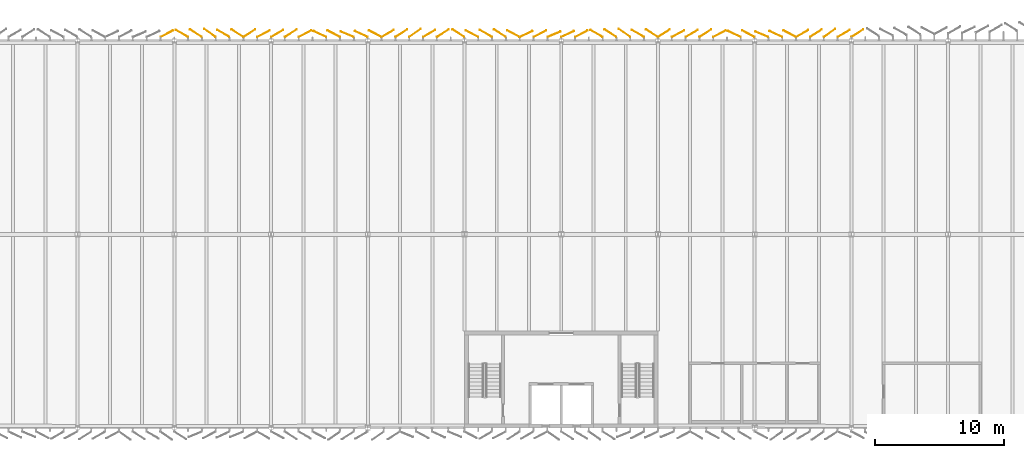
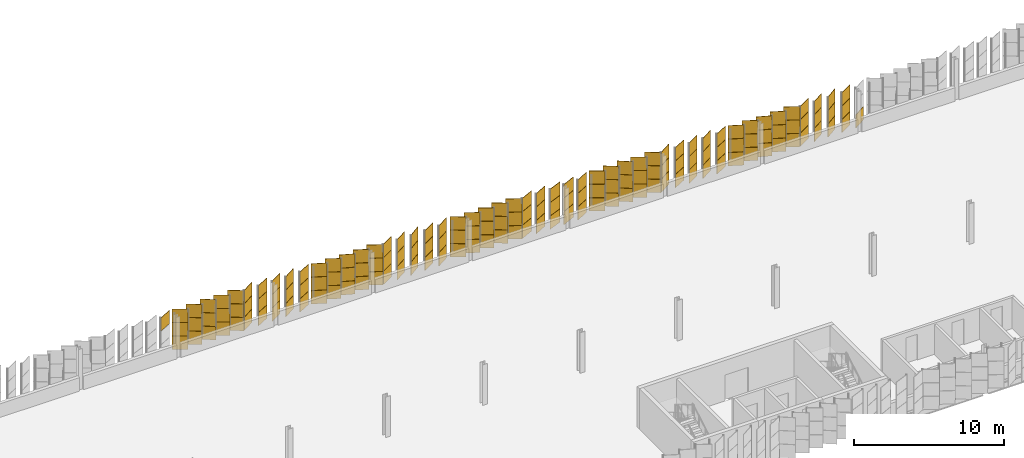
# One storey, part 198 of 199: 149 coverings.
"""IFC4 building model written with IfcOpenShell, lengths in metres."""

from ifc_helpers import new_model, si_unit, direction, frame, origin, origin_2d, place, context, subcontext, project, spatial, rectangle, extrude, material, layer, layer_set, type_object, element, save


model = new_model("IFC4")

# Units and contexts
model_context = context("Model", 3, precision=1e-05, world=origin(), true_north=direction((0.0, 1.0)))
body_context = subcontext(model_context, "Body", "Model", "MODEL_VIEW")
ifc_project = project(units=[si_unit("LENGTHUNIT", "METRE"), si_unit("AREAUNIT", "SQUARE_METRE"), si_unit("VOLUMEUNIT", "CUBIC_METRE"), si_unit("PLANEANGLEUNIT", "RADIAN"), si_unit("MASSUNIT", "GRAM", prefix="KILO")], contexts=[model_context])

# Site, building, storey
site_placement = place(None, origin())
site = spatial("IfcSite", under=ifc_project, at=site_placement, CompositionType="ELEMENT")
building_placement = place(site_placement, origin())
building = spatial("IfcBuilding", under=site, at=building_placement, Name="Parallax Yard Mobility Hub", CompositionType="ELEMENT")
storey_placement = place(building_placement, frame((0.0, 0.0, 9.89990234375)))
storey = spatial("IfcBuildingStorey", under=building, at=storey_placement, Name="L03", CompositionType="ELEMENT", Elevation=9.89990234375)

# Coverings
ifc_material_1 = material(Name="Aluminium panel, champagne finish", Category="aluminium")
ifc_layer_1 = layer(ifc_material_1, 0.030029296875)
ifc_layer_set_1 = layer_set([ifc_layer_1], Name="Skin panel 22.5 degree turn, champagne finish")
covering_type_1 = type_object("IfcCoveringType", Name="Skin panel 22.5 degree turn, champagne finish", PredefinedType="CLADDING", material=ifc_layer_set_1)
for number, where, z_axis, x_axis, name in (
    (1, (150.556884765625, 143.012939453125, 0.02001953125), (0.0, 0.0, 1.0), (-0.923879532511, 0.382683432365, 0.0), "Skin panel 22.5 bay 53.7 row 1 level L03"),
    (2, (134.43994140625, 143.012939453125, 0.02001953125), (0.0, 0.0, 1.0), (0.923879532511, 0.382683432365, 0.0), "Skin panel 22.5 bay 56.1 row 1 level L03"),
    (3, (118.41015625, 143.012939453125, 0.02001953125), (0.0, 0.0, 1.0), (-0.923879532511, 0.382683432365, 0.0), "Skin panel 22.5 bay 58.2 row 1 level L03"),
):
    element("IfcCovering", number, at=place(storey_placement, frame(where, z_axis=z_axis, x_axis=x_axis)), inside=storey, type_object=covering_type_1, Name=name, ObjectType="SCREEN", PredefinedType="CLADDING", context=body_context, shape_type="SweptSolid", body=[
        extrude(rectangle(XDim=1.080078125, YDim=0.030029296875, at=origin_2d()), origin(), (0.0, 0.0, 1.0), 1.080078125),
    ])
ifc_material_2 = material(Name="Aluminium panel, silver anodised", Category="aluminium")
ifc_layer_2 = layer(ifc_material_2, 0.030029296875)
ifc_layer_set_2 = layer_set([ifc_layer_2], Name="Skin panel 22.5 degree turn, silver anodised")
covering_type_2 = type_object("IfcCoveringType", Name="Skin panel 22.5 degree turn, silver anodised", PredefinedType="CLADDING", material=ifc_layer_set_2)
for number, where, z_axis, x_axis, name in (
    (4, (150.556884765625, 143.012939453125, 1.1201171875), (0.0, 0.0, 1.0), (-0.923879532511, 0.382683432365, 0.0), "Skin panel 22.5 bay 53.7 row 2 level L03"),
    (5, (150.556884765625, 143.012939453125, 2.219970703125), (0.0, 0.0, 1.0), (-0.923879532511, 0.382683432365, 0.0), "Skin panel 22.5 bay 53.7 row 3 level L03"),
    (6, (134.43994140625, 143.012939453125, 1.1201171875), (0.0, 0.0, 1.0), (0.923879532511, 0.382683432365, 0.0), "Skin panel 22.5 bay 56.1 row 2 level L03"),
    (7, (134.43994140625, 143.012939453125, 2.219970703125), (0.0, 0.0, 1.0), (0.923879532511, 0.382683432365, 0.0), "Skin panel 22.5 bay 56.1 row 3 level L03"),
    (8, (118.41015625, 143.012939453125, 1.1201171875), (0.0, 0.0, 1.0), (-0.923879532511, 0.382683432365, 0.0), "Skin panel 22.5 bay 58.2 row 2 level L03"),
    (9, (118.41015625, 143.012939453125, 2.219970703125), (0.0, 0.0, 1.0), (-0.923879532511, 0.382683432365, 0.0), "Skin panel 22.5 bay 58.2 row 3 level L03"),
):
    element("IfcCovering", number, at=place(storey_placement, frame(where, z_axis=z_axis, x_axis=x_axis)), inside=storey, type_object=covering_type_2, Name=name, ObjectType="SCREEN", PredefinedType="CLADDING", context=body_context, shape_type="SweptSolid", body=[
        extrude(rectangle(XDim=1.080078125, YDim=0.030029296875, at=origin_2d()), origin(), (0.0, 0.0, 1.0), 1.080078125),
    ])
ifc_layer_3 = layer(ifc_material_1, 0.030029296875)
ifc_layer_set_3 = layer_set([ifc_layer_3], Name="Skin panel 25 degree turn, champagne finish")
covering_type_3 = type_object("IfcCoveringType", Name="Skin panel 25 degree turn, champagne finish", PredefinedType="CLADDING", material=ifc_layer_set_3)
for number, where, z_axis, x_axis, name in (
    (10, (151.63818359375, 143.03515625, 0.02001953125), (0.0, 0.0, 1.0), (-0.906307787037, 0.422618261741, 0.0), "Skin panel 25 bay 53.6 row 1 level L03"),
    (11, (148.42333984375, 143.03515625, 0.02001953125), (0.0, 0.0, 1.0), (-0.906307787037, 0.422618261741, 0.0), "Skin panel 25 bay 54.2 row 1 level L03"),
    (12, (135.501708984375, 143.03515625, 0.02001953125), (0.0, 0.0, 1.0), (0.906307787037, 0.422618261741, 0.0), "Skin panel 25 bay 55.7 row 1 level L03"),
    (13, (132.287109375, 143.03515625, 0.02001953125), (0.0, 0.0, 1.0), (0.906307787037, 0.422618261741, 0.0), "Skin panel 25 bay 56.3 row 1 level L03"),
    (14, (119.491455078125, 143.03515625, 0.02001953125), (0.0, 0.0, 1.0), (-0.906307787037, 0.422618261741, 0.0), "Skin panel 25 bay 58.1 row 1 level L03"),
    (15, (116.27685546875, 143.03515625, 0.02001953125), (0.0, 0.0, 1.0), (-0.906307787037, 0.422618261741, 0.0), "Skin panel 25 bay 58.4 row 1 level L03"),
):
    element("IfcCovering", number, at=place(storey_placement, frame(where, z_axis=z_axis, x_axis=x_axis)), inside=storey, type_object=covering_type_3, Name=name, ObjectType="SCREEN", PredefinedType="CLADDING", context=body_context, shape_type="SweptSolid", body=[
        extrude(rectangle(XDim=1.080078125, YDim=0.030029296875, at=origin_2d()), origin(), (0.0, 0.0, 1.0), 1.080078125),
    ])
ifc_layer_4 = layer(ifc_material_2, 0.030029296875)
ifc_layer_set_4 = layer_set([ifc_layer_4], Name="Skin panel 25 degree turn, silver anodised")
covering_type_4 = type_object("IfcCoveringType", Name="Skin panel 25 degree turn, silver anodised", PredefinedType="CLADDING", material=ifc_layer_set_4)
for number, where, z_axis, x_axis, name in (
    (16, (151.63818359375, 143.03515625, 1.1201171875), (0.0, 0.0, 1.0), (-0.906307787037, 0.422618261741, 0.0), "Skin panel 25 bay 53.6 row 2 level L03"),
    (17, (151.63818359375, 143.03515625, 2.219970703125), (0.0, 0.0, 1.0), (-0.906307787037, 0.422618261741, 0.0), "Skin panel 25 bay 53.6 row 3 level L03"),
    (18, (148.42333984375, 143.03515625, 1.1201171875), (0.0, 0.0, 1.0), (-0.906307787037, 0.422618261741, 0.0), "Skin panel 25 bay 54.2 row 2 level L03"),
    (19, (148.42333984375, 143.03515625, 2.219970703125), (0.0, 0.0, 1.0), (-0.906307787037, 0.422618261741, 0.0), "Skin panel 25 bay 54.2 row 3 level L03"),
    (20, (135.501708984375, 143.03515625, 1.1201171875), (0.0, 0.0, 1.0), (0.906307787037, 0.422618261741, 0.0), "Skin panel 25 bay 55.7 row 2 level L03"),
    (21, (135.501708984375, 143.03515625, 2.219970703125), (0.0, 0.0, 1.0), (0.906307787037, 0.422618261741, 0.0), "Skin panel 25 bay 55.7 row 3 level L03"),
    (22, (132.287109375, 143.03515625, 1.1201171875), (0.0, 0.0, 1.0), (0.906307787037, 0.422618261741, 0.0), "Skin panel 25 bay 56.3 row 2 level L03"),
    (23, (132.287109375, 143.03515625, 2.219970703125), (0.0, 0.0, 1.0), (0.906307787037, 0.422618261741, 0.0), "Skin panel 25 bay 56.3 row 3 level L03"),
    (24, (119.491455078125, 143.03515625, 1.1201171875), (0.0, 0.0, 1.0), (-0.906307787037, 0.422618261741, 0.0), "Skin panel 25 bay 58.1 row 2 level L03"),
    (25, (119.491455078125, 143.03515625, 2.219970703125), (0.0, 0.0, 1.0), (-0.906307787037, 0.422618261741, 0.0), "Skin panel 25 bay 58.1 row 3 level L03"),
    (26, (116.27685546875, 143.03515625, 1.1201171875), (0.0, 0.0, 1.0), (-0.906307787037, 0.422618261741, 0.0), "Skin panel 25 bay 58.4 row 2 level L03"),
    (27, (116.27685546875, 143.03515625, 2.219970703125), (0.0, 0.0, 1.0), (-0.906307787037, 0.422618261741, 0.0), "Skin panel 25 bay 58.4 row 3 level L03"),
):
    element("IfcCovering", number, at=place(storey_placement, frame(where, z_axis=z_axis, x_axis=x_axis)), inside=storey, type_object=covering_type_4, Name=name, ObjectType="SCREEN", PredefinedType="CLADDING", context=body_context, shape_type="SweptSolid", body=[
        extrude(rectangle(XDim=1.080078125, YDim=0.030029296875, at=origin_2d()), origin(), (0.0, 0.0, 1.0), 1.080078125),
    ])
ifc_layer_5 = layer(ifc_material_1, 0.030029296875)
ifc_layer_set_5 = layer_set([ifc_layer_5], Name="Skin panel 27.5 degree turn, champagne finish")
covering_type_5 = type_object("IfcCoveringType", Name="Skin panel 27.5 degree turn, champagne finish", PredefinedType="CLADDING", material=ifc_layer_set_5)
for number, where, z_axis, x_axis, name in (
    (28, (152.720458984375, 143.056884765625, 0.02001953125), (0.0, 0.0, 1.0), (-0.887010833178, 0.461748613235, 0.0), "Skin panel 27.5 bay 53.5 row 1 level L03"),
    (29, (149.505615234375, 143.056884765625, 0.02001953125), (0.0, 0.0, 1.0), (-0.887010833178, 0.461748613235, 0.0), "Skin panel 27.5 bay 54.1 row 1 level L03"),
    (30, (147.278076171875, 143.056884765625, 0.02001953125), (0.0, 0.0, 1.0), (0.887010833178, 0.461748613235, 0.0), "Skin panel 27.5 bay 54.3 row 1 level L03"),
    (31, (144.0634765625, 143.056884765625, 0.02001953125), (0.0, 0.0, 1.0), (0.887010833178, 0.461748613235, 0.0), "Skin panel 27.5 bay 54.6 row 1 level L03"),
    (32, (136.5625, 143.056884765625, 0.02001953125), (0.0, 0.0, 1.0), (0.887010833178, 0.461748613235, 0.0), "Skin panel 27.5 bay 55.6 row 1 level L03"),
    (33, (133.347900390625, 143.056884765625, 0.02001953125), (0.0, 0.0, 1.0), (0.887010833178, 0.461748613235, 0.0), "Skin panel 27.5 bay 56.2 row 1 level L03"),
    (34, (131.289306640625, 143.056884765625, 0.02001953125), (0.0, 0.0, 1.0), (-0.887010833178, 0.461748613235, 0.0), "Skin panel 27.5 bay 56.4 row 1 level L03"),
    (35, (128.07470703125, 143.056884765625, 0.02001953125), (0.0, 0.0, 1.0), (-0.887010833178, 0.461748613235, 0.0), "Skin panel 27.5 bay 56.7 row 1 level L03"),
    (36, (120.57373046875, 143.056884765625, 0.02001953125), (0.0, 0.0, 1.0), (-0.887010833178, 0.461748613235, 0.0), "Skin panel 27.5 bay 57.7 row 1 level L03"),
    (37, (117.359130859375, 143.056884765625, 0.02001953125), (0.0, 0.0, 1.0), (-0.887010833178, 0.461748613235, 0.0), "Skin panel 27.5 bay 58.3 row 1 level L03"),
    (38, (115.13134765625, 143.056884765625, 0.02001953125), (0.0, 0.0, 1.0), (0.887010833178, 0.461748613235, 0.0), "Skin panel 27.5 bay 58.5 row 1 level L03"),
    (39, (111.916748046875, 143.056884765625, 0.02001953125), (0.0, 0.0, 1.0), (0.887010833178, 0.461748613235, 0.0), "Skin panel 27.5 bay 59.1 row 1 level L03"),
):
    element("IfcCovering", number, at=place(storey_placement, frame(where, z_axis=z_axis, x_axis=x_axis)), inside=storey, type_object=covering_type_5, Name=name, ObjectType="SCREEN", PredefinedType="CLADDING", context=body_context, shape_type="SweptSolid", body=[
        extrude(rectangle(XDim=1.080078125, YDim=0.030029296875, at=origin_2d()), origin(), (0.0, 0.0, 1.0), 1.080078125),
    ])
ifc_layer_6 = layer(ifc_material_2, 0.030029296875)
ifc_layer_set_6 = layer_set([ifc_layer_6], Name="Skin panel 27.5 degree turn, silver anodised")
covering_type_6 = type_object("IfcCoveringType", Name="Skin panel 27.5 degree turn, silver anodised", PredefinedType="CLADDING", material=ifc_layer_set_6)
for number, where, z_axis, x_axis, name in (
    (40, (152.720458984375, 143.056884765625, 1.1201171875), (0.0, 0.0, 1.0), (-0.887010833178, 0.461748613235, 0.0), "Skin panel 27.5 bay 53.5 row 2 level L03"),
    (41, (152.720458984375, 143.056884765625, 2.219970703125), (0.0, 0.0, 1.0), (-0.887010833178, 0.461748613235, 0.0), "Skin panel 27.5 bay 53.5 row 3 level L03"),
    (42, (149.505615234375, 143.056884765625, 1.1201171875), (0.0, 0.0, 1.0), (-0.887010833178, 0.461748613235, 0.0), "Skin panel 27.5 bay 54.1 row 2 level L03"),
    (43, (149.505615234375, 143.056884765625, 2.219970703125), (0.0, 0.0, 1.0), (-0.887010833178, 0.461748613235, 0.0), "Skin panel 27.5 bay 54.1 row 3 level L03"),
    (44, (147.278076171875, 143.056884765625, 1.1201171875), (0.0, 0.0, 1.0), (0.887010833178, 0.461748613235, 0.0), "Skin panel 27.5 bay 54.3 row 2 level L03"),
    (45, (147.278076171875, 143.056884765625, 2.219970703125), (0.0, 0.0, 1.0), (0.887010833178, 0.461748613235, 0.0), "Skin panel 27.5 bay 54.3 row 3 level L03"),
    (46, (144.0634765625, 143.056884765625, 1.1201171875), (0.0, 0.0, 1.0), (0.887010833178, 0.461748613235, 0.0), "Skin panel 27.5 bay 54.6 row 2 level L03"),
    (47, (144.0634765625, 143.056884765625, 2.219970703125), (0.0, 0.0, 1.0), (0.887010833178, 0.461748613235, 0.0), "Skin panel 27.5 bay 54.6 row 3 level L03"),
    (48, (136.5625, 143.056884765625, 1.1201171875), (0.0, 0.0, 1.0), (0.887010833178, 0.461748613235, 0.0), "Skin panel 27.5 bay 55.6 row 2 level L03"),
    (49, (136.5625, 143.056884765625, 2.219970703125), (0.0, 0.0, 1.0), (0.887010833178, 0.461748613235, 0.0), "Skin panel 27.5 bay 55.6 row 3 level L03"),
    (50, (133.347900390625, 143.056884765625, 1.1201171875), (0.0, 0.0, 1.0), (0.887010833178, 0.461748613235, 0.0), "Skin panel 27.5 bay 56.2 row 2 level L03"),
    (51, (133.347900390625, 143.056884765625, 2.219970703125), (0.0, 0.0, 1.0), (0.887010833178, 0.461748613235, 0.0), "Skin panel 27.5 bay 56.2 row 3 level L03"),
    (52, (131.289306640625, 143.056884765625, 1.1201171875), (0.0, 0.0, 1.0), (-0.887010833178, 0.461748613235, 0.0), "Skin panel 27.5 bay 56.4 row 2 level L03"),
    (53, (131.289306640625, 143.056884765625, 2.219970703125), (0.0, 0.0, 1.0), (-0.887010833178, 0.461748613235, 0.0), "Skin panel 27.5 bay 56.4 row 3 level L03"),
    (54, (128.07470703125, 143.056884765625, 1.1201171875), (0.0, 0.0, 1.0), (-0.887010833178, 0.461748613235, 0.0), "Skin panel 27.5 bay 56.7 row 2 level L03"),
    (55, (128.07470703125, 143.056884765625, 2.219970703125), (0.0, 0.0, 1.0), (-0.887010833178, 0.461748613235, 0.0), "Skin panel 27.5 bay 56.7 row 3 level L03"),
    (56, (120.57373046875, 143.056884765625, 1.1201171875), (0.0, 0.0, 1.0), (-0.887010833178, 0.461748613235, 0.0), "Skin panel 27.5 bay 57.7 row 2 level L03"),
    (57, (120.57373046875, 143.056884765625, 2.219970703125), (0.0, 0.0, 1.0), (-0.887010833178, 0.461748613235, 0.0), "Skin panel 27.5 bay 57.7 row 3 level L03"),
    (58, (117.359130859375, 143.056884765625, 1.1201171875), (0.0, 0.0, 1.0), (-0.887010833178, 0.461748613235, 0.0), "Skin panel 27.5 bay 58.3 row 2 level L03"),
    (59, (117.359130859375, 143.056884765625, 2.219970703125), (0.0, 0.0, 1.0), (-0.887010833178, 0.461748613235, 0.0), "Skin panel 27.5 bay 58.3 row 3 level L03"),
    (60, (115.13134765625, 143.056884765625, 1.1201171875), (0.0, 0.0, 1.0), (0.887010833178, 0.461748613235, 0.0), "Skin panel 27.5 bay 58.5 row 2 level L03"),
    (61, (115.13134765625, 143.056884765625, 2.219970703125), (0.0, 0.0, 1.0), (0.887010833178, 0.461748613235, 0.0), "Skin panel 27.5 bay 58.5 row 3 level L03"),
    (62, (111.916748046875, 143.056884765625, 1.1201171875), (0.0, 0.0, 1.0), (0.887010833178, 0.461748613235, 0.0), "Skin panel 27.5 bay 59.1 row 2 level L03"),
    (63, (111.916748046875, 143.056884765625, 2.219970703125), (0.0, 0.0, 1.0), (0.887010833178, 0.461748613235, 0.0), "Skin panel 27.5 bay 59.1 row 3 level L03"),
    (64, (104.415771484375, 143.056884765625, 2.219970703125), (0.0, 0.0, 1.0), (0.887010833178, 0.461748613235, 0.0), "Skin panel 27.5 bay 60.1 row 3 level L03"),
):
    element("IfcCovering", number, at=place(storey_placement, frame(where, z_axis=z_axis, x_axis=x_axis)), inside=storey, type_object=covering_type_6, Name=name, ObjectType="SCREEN", PredefinedType="CLADDING", context=body_context, shape_type="SweptSolid", body=[
        extrude(rectangle(XDim=1.080078125, YDim=0.030029296875, at=origin_2d()), origin(), (0.0, 0.0, 1.0), 1.080078125),
    ])
ifc_layer_7 = layer(ifc_material_1, 0.030029296875)
ifc_layer_set_7 = layer_set([ifc_layer_7], Name="Skin panel 30 degree turn, champagne finish")
covering_type_7 = type_object("IfcCoveringType", Name="Skin panel 30 degree turn, champagne finish", PredefinedType="CLADDING", material=ifc_layer_set_7)
for number, where, z_axis, x_axis, name in (
    (65, (156.910400390625, 143.078125, 0.02001953125), (0.0, 0.0, 1.0), (0.866025403784, 0.5, 0.0), "Skin panel 30 bay 53.1 row 1 level L03"),
    (66, (153.69580078125, 143.078125, 0.02001953125), (0.0, 0.0, 1.0), (0.866025403784, 0.5, 0.0), "Skin panel 30 bay 53.4 row 1 level L03"),
    (67, (145.123291015625, 143.078125, 0.02001953125), (0.0, 0.0, 1.0), (0.866025403784, 0.5, 0.0), "Skin panel 30 bay 54.5 row 1 level L03"),
    (68, (140.94482421875, 143.078125, 0.02001953125), (0.0, 0.0, 1.0), (-0.866025403784, 0.5, 0.0), "Skin panel 30 bay 55.2 row 1 level L03"),
    (69, (137.730224609375, 143.078125, 0.02001953125), (0.0, 0.0, 1.0), (-0.866025403784, 0.5, 0.0), "Skin panel 30 bay 55.5 row 1 level L03"),
    (70, (129.15771484375, 143.078125, 0.02001953125), (0.0, 0.0, 1.0), (-0.866025403784, 0.5, 0.0), "Skin panel 30 bay 56.6 row 1 level L03"),
    (71, (124.763671875, 143.078125, 0.02001953125), (0.0, 0.0, 1.0), (0.866025403784, 0.5, 0.0), "Skin panel 30 bay 57.3 row 1 level L03"),
    (72, (121.549072265625, 143.078125, 0.02001953125), (0.0, 0.0, 1.0), (0.866025403784, 0.5, 0.0), "Skin panel 30 bay 57.6 row 1 level L03"),
    (73, (112.9765625, 143.078125, 0.02001953125), (0.0, 0.0, 1.0), (0.866025403784, 0.5, 0.0), "Skin panel 30 bay 58.7 row 1 level L03"),
    (74, (108.79833984375, 143.078125, 0.02001953125), (0.0, 0.0, 1.0), (-0.866025403784, 0.5, 0.0), "Skin panel 30 bay 59.4 row 1 level L03"),
    (75, (105.58349609375, 143.078125, 0.02001953125), (0.0, 0.0, 1.0), (-0.866025403784, 0.5, 0.0), "Skin panel 30 bay 59.7 row 1 level L03"),
):
    element("IfcCovering", number, at=place(storey_placement, frame(where, z_axis=z_axis, x_axis=x_axis)), inside=storey, type_object=covering_type_7, Name=name, ObjectType="SCREEN", PredefinedType="CLADDING", context=body_context, shape_type="SweptSolid", body=[
        extrude(rectangle(XDim=1.080078125, YDim=0.030029296875, at=origin_2d()), origin(), (0.0, 0.0, 1.0), 1.080078125),
    ])
ifc_layer_8 = layer(ifc_material_2, 0.030029296875)
ifc_layer_set_8 = layer_set([ifc_layer_8], Name="Skin panel 30 degree turn, silver anodised")
covering_type_8 = type_object("IfcCoveringType", Name="Skin panel 30 degree turn, silver anodised", PredefinedType="CLADDING", material=ifc_layer_set_8)
for number, where, z_axis, x_axis, name in (
    (76, (156.910400390625, 143.078125, 1.1201171875), (0.0, 0.0, 1.0), (0.866025403784, 0.5, 0.0), "Skin panel 30 bay 53.1 row 2 level L03"),
    (77, (156.910400390625, 143.078125, 2.219970703125), (0.0, 0.0, 1.0), (0.866025403784, 0.5, 0.0), "Skin panel 30 bay 53.1 row 3 level L03"),
    (78, (153.69580078125, 143.078125, 1.1201171875), (0.0, 0.0, 1.0), (0.866025403784, 0.5, 0.0), "Skin panel 30 bay 53.4 row 2 level L03"),
    (79, (153.69580078125, 143.078125, 2.219970703125), (0.0, 0.0, 1.0), (0.866025403784, 0.5, 0.0), "Skin panel 30 bay 53.4 row 3 level L03"),
    (80, (145.123291015625, 143.078125, 1.1201171875), (0.0, 0.0, 1.0), (0.866025403784, 0.5, 0.0), "Skin panel 30 bay 54.5 row 2 level L03"),
    (81, (145.123291015625, 143.078125, 2.219970703125), (0.0, 0.0, 1.0), (0.866025403784, 0.5, 0.0), "Skin panel 30 bay 54.5 row 3 level L03"),
    (82, (140.94482421875, 143.078125, 1.1201171875), (0.0, 0.0, 1.0), (-0.866025403784, 0.5, 0.0), "Skin panel 30 bay 55.2 row 2 level L03"),
    (83, (140.94482421875, 143.078125, 2.219970703125), (0.0, 0.0, 1.0), (-0.866025403784, 0.5, 0.0), "Skin panel 30 bay 55.2 row 3 level L03"),
    (84, (137.730224609375, 143.078125, 1.1201171875), (0.0, 0.0, 1.0), (-0.866025403784, 0.5, 0.0), "Skin panel 30 bay 55.5 row 2 level L03"),
    (85, (137.730224609375, 143.078125, 2.219970703125), (0.0, 0.0, 1.0), (-0.866025403784, 0.5, 0.0), "Skin panel 30 bay 55.5 row 3 level L03"),
    (86, (129.15771484375, 143.078125, 1.1201171875), (0.0, 0.0, 1.0), (-0.866025403784, 0.5, 0.0), "Skin panel 30 bay 56.6 row 2 level L03"),
    (87, (129.15771484375, 143.078125, 2.219970703125), (0.0, 0.0, 1.0), (-0.866025403784, 0.5, 0.0), "Skin panel 30 bay 56.6 row 3 level L03"),
    (88, (124.763671875, 143.078125, 1.1201171875), (0.0, 0.0, 1.0), (0.866025403784, 0.5, 0.0), "Skin panel 30 bay 57.3 row 2 level L03"),
    (89, (124.763671875, 143.078125, 2.219970703125), (0.0, 0.0, 1.0), (0.866025403784, 0.5, 0.0), "Skin panel 30 bay 57.3 row 3 level L03"),
    (90, (121.549072265625, 143.078125, 1.1201171875), (0.0, 0.0, 1.0), (0.866025403784, 0.5, 0.0), "Skin panel 30 bay 57.6 row 2 level L03"),
    (91, (121.549072265625, 143.078125, 2.219970703125), (0.0, 0.0, 1.0), (0.866025403784, 0.5, 0.0), "Skin panel 30 bay 57.6 row 3 level L03"),
    (92, (112.9765625, 143.078125, 1.1201171875), (0.0, 0.0, 1.0), (0.866025403784, 0.5, 0.0), "Skin panel 30 bay 58.7 row 2 level L03"),
    (93, (112.9765625, 143.078125, 2.219970703125), (0.0, 0.0, 1.0), (0.866025403784, 0.5, 0.0), "Skin panel 30 bay 58.7 row 3 level L03"),
    (94, (108.79833984375, 143.078125, 1.1201171875), (0.0, 0.0, 1.0), (-0.866025403784, 0.5, 0.0), "Skin panel 30 bay 59.4 row 2 level L03"),
    (95, (108.79833984375, 143.078125, 2.219970703125), (0.0, 0.0, 1.0), (-0.866025403784, 0.5, 0.0), "Skin panel 30 bay 59.4 row 3 level L03"),
    (96, (105.58349609375, 143.078125, 1.1201171875), (0.0, 0.0, 1.0), (-0.866025403784, 0.5, 0.0), "Skin panel 30 bay 59.7 row 2 level L03"),
    (97, (105.58349609375, 143.078125, 2.219970703125), (0.0, 0.0, 1.0), (-0.866025403784, 0.5, 0.0), "Skin panel 30 bay 59.7 row 3 level L03"),
):
    element("IfcCovering", number, at=place(storey_placement, frame(where, z_axis=z_axis, x_axis=x_axis)), inside=storey, type_object=covering_type_8, Name=name, ObjectType="SCREEN", PredefinedType="CLADDING", context=body_context, shape_type="SweptSolid", body=[
        extrude(rectangle(XDim=1.080078125, YDim=0.030029296875, at=origin_2d()), origin(), (0.0, 0.0, 1.0), 1.080078125),
    ])
ifc_layer_9 = layer(ifc_material_1, 0.030029296875)
ifc_layer_set_9 = layer_set([ifc_layer_9], Name="Skin panel 32.5 degree turn, champagne finish")
covering_type_9 = type_object("IfcCoveringType", Name="Skin panel 32.5 degree turn, champagne finish", PredefinedType="CLADDING", material=ifc_layer_set_9)
for number, where, z_axis, x_axis, name in (
    (98, (157.96923828125, 143.098876953125, 0.02001953125), (0.0, 0.0, 1.0), (0.843391445813, 0.537299608347, 0.0), "Skin panel 32.5 bay 52.7 row 1 level L03"),
    (99, (154.754638671875, 143.098876953125, 0.02001953125), (0.0, 0.0, 1.0), (0.843391445813, 0.537299608347, 0.0), "Skin panel 32.5 bay 53.3 row 1 level L03"),
    (100, (146.18212890625, 143.098876953125, 0.02001953125), (0.0, 0.0, 1.0), (0.843391445813, 0.537299608347, 0.0), "Skin panel 32.5 bay 54.4 row 1 level L03"),
    (101, (142.967529296875, 143.098876953125, 0.02001953125), (0.0, 0.0, 1.0), (0.843391445813, 0.537299608347, 0.0), "Skin panel 32.5 bay 54.7 row 1 level L03"),
    (102, (142.029052734375, 143.098876953125, 0.02001953125), (0.0, 0.0, 1.0), (-0.843391445813, 0.537299608347, 0.0), "Skin panel 32.5 bay 55.1 row 1 level L03"),
    (103, (138.814453125, 143.098876953125, 0.02001953125), (0.0, 0.0, 1.0), (-0.843391445813, 0.537299608347, 0.0), "Skin panel 32.5 bay 55.4 row 1 level L03"),
    (104, (130.241943359375, 143.098876953125, 0.02001953125), (0.0, 0.0, 1.0), (-0.843391445813, 0.537299608347, 0.0), "Skin panel 32.5 bay 56.5 row 1 level L03"),
    (105, (127.02734375, 143.098876953125, 0.02001953125), (0.0, 0.0, 1.0), (-0.843391445813, 0.537299608347, 0.0), "Skin panel 32.5 bay 57.1 row 1 level L03"),
    (106, (125.822509765625, 143.098876953125, 0.02001953125), (0.0, 0.0, 1.0), (0.843391445813, 0.537299608347, 0.0), "Skin panel 32.5 bay 57.2 row 1 level L03"),
    (107, (122.60791015625, 143.098876953125, 0.02001953125), (0.0, 0.0, 1.0), (0.843391445813, 0.537299608347, 0.0), "Skin panel 32.5 bay 57.5 row 1 level L03"),
    (108, (114.035400390625, 143.098876953125, 0.02001953125), (0.0, 0.0, 1.0), (0.843391445813, 0.537299608347, 0.0), "Skin panel 32.5 bay 58.6 row 1 level L03"),
    (109, (110.82080078125, 143.098876953125, 0.02001953125), (0.0, 0.0, 1.0), (0.843391445813, 0.537299608347, 0.0), "Skin panel 32.5 bay 59.2 row 1 level L03"),
    (110, (109.88232421875, 143.098876953125, 0.02001953125), (0.0, 0.0, 1.0), (-0.843391445813, 0.537299608347, 0.0), "Skin panel 32.5 bay 59.3 row 1 level L03"),
    (111, (106.667724609375, 143.098876953125, 0.02001953125), (0.0, 0.0, 1.0), (-0.843391445813, 0.537299608347, 0.0), "Skin panel 32.5 bay 59.6 row 1 level L03"),
):
    element("IfcCovering", number, at=place(storey_placement, frame(where, z_axis=z_axis, x_axis=x_axis)), inside=storey, type_object=covering_type_9, Name=name, ObjectType="SCREEN", PredefinedType="CLADDING", context=body_context, shape_type="SweptSolid", body=[
        extrude(rectangle(XDim=1.080078125, YDim=0.030029296875, at=origin_2d()), origin(), (0.0, 0.0, 1.0), 1.080078125),
    ])
ifc_layer_10 = layer(ifc_material_2, 0.030029296875)
ifc_layer_set_10 = layer_set([ifc_layer_10], Name="Skin panel 32.5 degree turn, silver anodised")
covering_type_10 = type_object("IfcCoveringType", Name="Skin panel 32.5 degree turn, silver anodised", PredefinedType="CLADDING", material=ifc_layer_set_10)
for number, where, z_axis, x_axis, name in (
    (112, (154.754638671875, 143.098876953125, 1.1201171875), (0.0, 0.0, 1.0), (0.843391445813, 0.537299608347, 0.0), "Skin panel 32.5 bay 53.3 row 2 level L03"),
    (113, (154.754638671875, 143.098876953125, 2.219970703125), (0.0, 0.0, 1.0), (0.843391445813, 0.537299608347, 0.0), "Skin panel 32.5 bay 53.3 row 3 level L03"),
    (114, (146.18212890625, 143.098876953125, 1.1201171875), (0.0, 0.0, 1.0), (0.843391445813, 0.537299608347, 0.0), "Skin panel 32.5 bay 54.4 row 2 level L03"),
    (115, (146.18212890625, 143.098876953125, 2.219970703125), (0.0, 0.0, 1.0), (0.843391445813, 0.537299608347, 0.0), "Skin panel 32.5 bay 54.4 row 3 level L03"),
    (116, (142.967529296875, 143.098876953125, 1.1201171875), (0.0, 0.0, 1.0), (0.843391445813, 0.537299608347, 0.0), "Skin panel 32.5 bay 54.7 row 2 level L03"),
    (117, (142.967529296875, 143.098876953125, 2.219970703125), (0.0, 0.0, 1.0), (0.843391445813, 0.537299608347, 0.0), "Skin panel 32.5 bay 54.7 row 3 level L03"),
    (118, (142.029052734375, 143.098876953125, 1.1201171875), (0.0, 0.0, 1.0), (-0.843391445813, 0.537299608347, 0.0), "Skin panel 32.5 bay 55.1 row 2 level L03"),
    (119, (142.029052734375, 143.098876953125, 2.219970703125), (0.0, 0.0, 1.0), (-0.843391445813, 0.537299608347, 0.0), "Skin panel 32.5 bay 55.1 row 3 level L03"),
    (120, (138.814453125, 143.098876953125, 1.1201171875), (0.0, 0.0, 1.0), (-0.843391445813, 0.537299608347, 0.0), "Skin panel 32.5 bay 55.4 row 2 level L03"),
    (121, (138.814453125, 143.098876953125, 2.219970703125), (0.0, 0.0, 1.0), (-0.843391445813, 0.537299608347, 0.0), "Skin panel 32.5 bay 55.4 row 3 level L03"),
    (122, (130.241943359375, 143.098876953125, 1.1201171875), (0.0, 0.0, 1.0), (-0.843391445813, 0.537299608347, 0.0), "Skin panel 32.5 bay 56.5 row 2 level L03"),
    (123, (130.241943359375, 143.098876953125, 2.219970703125), (0.0, 0.0, 1.0), (-0.843391445813, 0.537299608347, 0.0), "Skin panel 32.5 bay 56.5 row 3 level L03"),
    (124, (127.02734375, 143.098876953125, 1.1201171875), (0.0, 0.0, 1.0), (-0.843391445813, 0.537299608347, 0.0), "Skin panel 32.5 bay 57.1 row 2 level L03"),
    (125, (127.02734375, 143.098876953125, 2.219970703125), (0.0, 0.0, 1.0), (-0.843391445813, 0.537299608347, 0.0), "Skin panel 32.5 bay 57.1 row 3 level L03"),
    (126, (125.822509765625, 143.098876953125, 1.1201171875), (0.0, 0.0, 1.0), (0.843391445813, 0.537299608347, 0.0), "Skin panel 32.5 bay 57.2 row 2 level L03"),
    (127, (125.822509765625, 143.098876953125, 2.219970703125), (0.0, 0.0, 1.0), (0.843391445813, 0.537299608347, 0.0), "Skin panel 32.5 bay 57.2 row 3 level L03"),
    (128, (122.60791015625, 143.098876953125, 1.1201171875), (0.0, 0.0, 1.0), (0.843391445813, 0.537299608347, 0.0), "Skin panel 32.5 bay 57.5 row 2 level L03"),
    (129, (122.60791015625, 143.098876953125, 2.219970703125), (0.0, 0.0, 1.0), (0.843391445813, 0.537299608347, 0.0), "Skin panel 32.5 bay 57.5 row 3 level L03"),
    (130, (114.035400390625, 143.098876953125, 1.1201171875), (0.0, 0.0, 1.0), (0.843391445813, 0.537299608347, 0.0), "Skin panel 32.5 bay 58.6 row 2 level L03"),
    (131, (114.035400390625, 143.098876953125, 2.219970703125), (0.0, 0.0, 1.0), (0.843391445813, 0.537299608347, 0.0), "Skin panel 32.5 bay 58.6 row 3 level L03"),
    (132, (110.82080078125, 143.098876953125, 1.1201171875), (0.0, 0.0, 1.0), (0.843391445813, 0.537299608347, 0.0), "Skin panel 32.5 bay 59.2 row 2 level L03"),
    (133, (110.82080078125, 143.098876953125, 2.219970703125), (0.0, 0.0, 1.0), (0.843391445813, 0.537299608347, 0.0), "Skin panel 32.5 bay 59.2 row 3 level L03"),
    (134, (109.88232421875, 143.098876953125, 1.1201171875), (0.0, 0.0, 1.0), (-0.843391445813, 0.537299608347, 0.0), "Skin panel 32.5 bay 59.3 row 2 level L03"),
    (135, (109.88232421875, 143.098876953125, 2.219970703125), (0.0, 0.0, 1.0), (-0.843391445813, 0.537299608347, 0.0), "Skin panel 32.5 bay 59.3 row 3 level L03"),
    (136, (106.667724609375, 143.098876953125, 1.1201171875), (0.0, 0.0, 1.0), (-0.843391445813, 0.537299608347, 0.0), "Skin panel 32.5 bay 59.6 row 2 level L03"),
    (137, (106.667724609375, 143.098876953125, 2.219970703125), (0.0, 0.0, 1.0), (-0.843391445813, 0.537299608347, 0.0), "Skin panel 32.5 bay 59.6 row 3 level L03"),
):
    element("IfcCovering", number, at=place(storey_placement, frame(where, z_axis=z_axis, x_axis=x_axis)), inside=storey, type_object=covering_type_10, Name=name, ObjectType="SCREEN", PredefinedType="CLADDING", context=body_context, shape_type="SweptSolid", body=[
        extrude(rectangle(XDim=1.080078125, YDim=0.030029296875, at=origin_2d()), origin(), (0.0, 0.0, 1.0), 1.080078125),
    ])
ifc_layer_11 = layer(ifc_material_1, 0.030029296875)
ifc_layer_set_11 = layer_set([ifc_layer_11], Name="Skin panel 35 degree turn, champagne finish")
covering_type_11 = type_object("IfcCoveringType", Name="Skin panel 35 degree turn, champagne finish", PredefinedType="CLADDING", material=ifc_layer_set_11)
for number, where, z_axis, x_axis, name in (
    (138, (155.812744140625, 143.119140625, 0.02001953125), (0.0, 0.0, 1.0), (0.819152044289, 0.573576436351, 0.0), "Skin panel 35 bay 53.2 row 1 level L03"),
    (139, (139.8994140625, 143.119140625, 0.02001953125), (0.0, 0.0, 1.0), (-0.819152044289, 0.573576436351, 0.0), "Skin panel 35 bay 55.3 row 1 level L03"),
    (140, (123.666015625, 143.119140625, 0.02001953125), (0.0, 0.0, 1.0), (0.819152044289, 0.573576436351, 0.0), "Skin panel 35 bay 57.4 row 1 level L03"),
    (141, (107.752685546875, 143.119140625, 0.02001953125), (0.0, 0.0, 1.0), (-0.819152044289, 0.573576436351, 0.0), "Skin panel 35 bay 59.5 row 1 level L03"),
):
    element("IfcCovering", number, at=place(storey_placement, frame(where, z_axis=z_axis, x_axis=x_axis)), inside=storey, type_object=covering_type_11, Name=name, ObjectType="SCREEN", PredefinedType="CLADDING", context=body_context, shape_type="SweptSolid", body=[
        extrude(rectangle(XDim=1.080078125, YDim=0.030029296875, at=origin_2d()), origin(), (0.0, 0.0, 1.0), 1.080078125),
    ])
ifc_layer_12 = layer(ifc_material_2, 0.030029296875)
ifc_layer_set_12 = layer_set([ifc_layer_12], Name="Skin panel 35 degree turn, silver anodised")
covering_type_12 = type_object("IfcCoveringType", Name="Skin panel 35 degree turn, silver anodised", PredefinedType="CLADDING", material=ifc_layer_set_12)
for number, where, z_axis, x_axis, name in (
    (142, (155.812744140625, 143.119140625, 1.1201171875), (0.0, 0.0, 1.0), (0.819152044289, 0.573576436351, 0.0), "Skin panel 35 bay 53.2 row 2 level L03"),
    (143, (155.812744140625, 143.119140625, 2.219970703125), (0.0, 0.0, 1.0), (0.819152044289, 0.573576436351, 0.0), "Skin panel 35 bay 53.2 row 3 level L03"),
    (144, (139.8994140625, 143.119140625, 1.1201171875), (0.0, 0.0, 1.0), (-0.819152044289, 0.573576436351, 0.0), "Skin panel 35 bay 55.3 row 2 level L03"),
    (145, (139.8994140625, 143.119140625, 2.219970703125), (0.0, 0.0, 1.0), (-0.819152044289, 0.573576436351, 0.0), "Skin panel 35 bay 55.3 row 3 level L03"),
    (146, (123.666015625, 143.119140625, 1.1201171875), (0.0, 0.0, 1.0), (0.819152044289, 0.573576436351, 0.0), "Skin panel 35 bay 57.4 row 2 level L03"),
    (147, (123.666015625, 143.119140625, 2.219970703125), (0.0, 0.0, 1.0), (0.819152044289, 0.573576436351, 0.0), "Skin panel 35 bay 57.4 row 3 level L03"),
    (148, (107.752685546875, 143.119140625, 1.1201171875), (0.0, 0.0, 1.0), (-0.819152044289, 0.573576436351, 0.0), "Skin panel 35 bay 59.5 row 2 level L03"),
    (149, (107.752685546875, 143.119140625, 2.219970703125), (0.0, 0.0, 1.0), (-0.819152044289, 0.573576436351, 0.0), "Skin panel 35 bay 59.5 row 3 level L03"),
):
    element("IfcCovering", number, at=place(storey_placement, frame(where, z_axis=z_axis, x_axis=x_axis)), inside=storey, type_object=covering_type_12, Name=name, ObjectType="SCREEN", PredefinedType="CLADDING", context=body_context, shape_type="SweptSolid", body=[
        extrude(rectangle(XDim=1.080078125, YDim=0.030029296875, at=origin_2d()), origin(), (0.0, 0.0, 1.0), 1.080078125),
    ])

save(model, "model.ifc")
